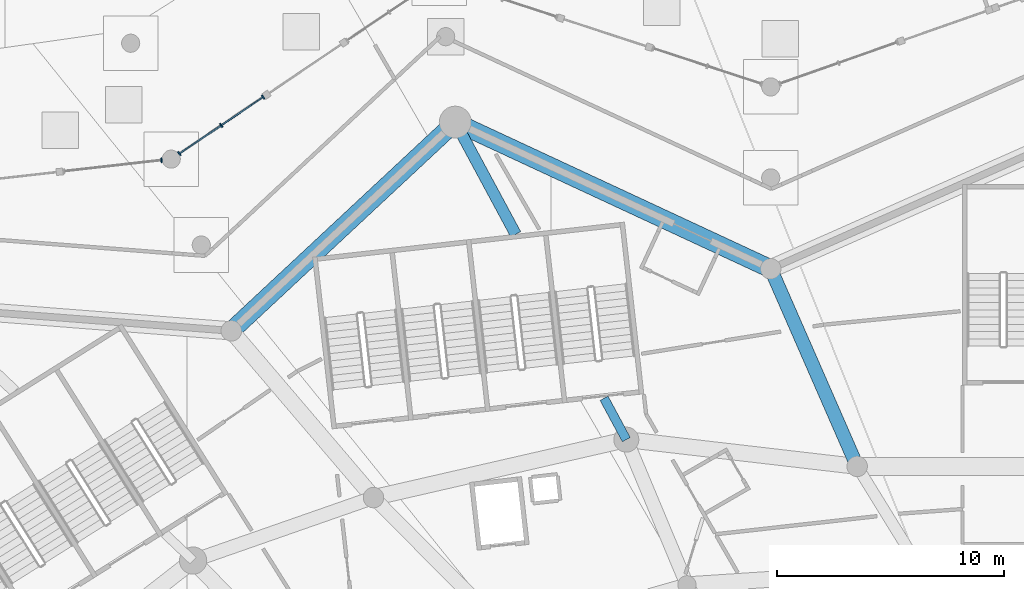
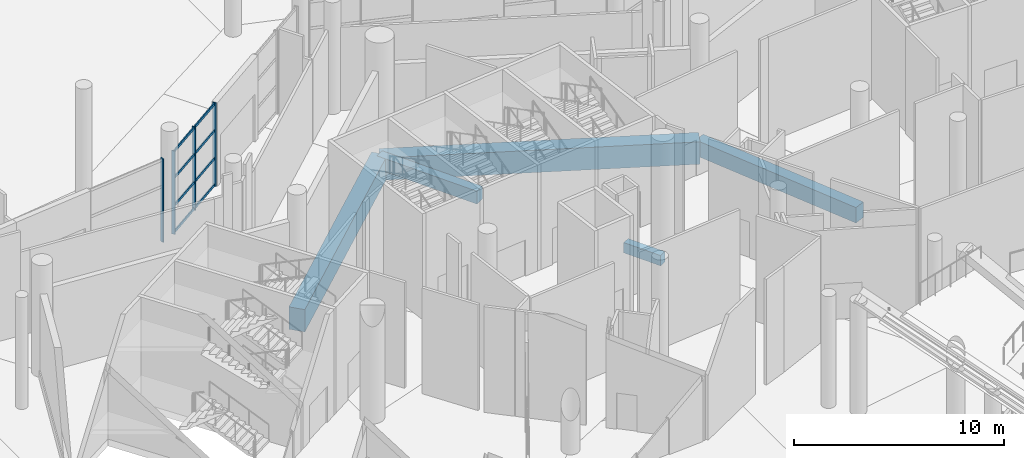
# One storey, part 52 of 255: 12 members, 5 beams, 2 elements without a shape of their own.
"""IFC4 building model written with IfcOpenShell, lengths in metres."""

from ifc_helpers import new_model, si_unit, direction, frame, origin, origin_2d, place, context, subcontext, project, spatial, rectangle, extrude, material, layer, layer_set, material_profile, profile_set, type_object, element, aggregate, save


model = new_model("IFC4")

# Units and contexts
model_context = context("Model", 3, precision=1e-05, world=origin(), true_north=direction((0.0, 1.0)))
body_context = subcontext(model_context, "Body", "Model", "MODEL_VIEW")
ifc_project = project(units=[si_unit("LENGTHUNIT", "METRE"), si_unit("AREAUNIT", "SQUARE_METRE"), si_unit("VOLUMEUNIT", "CUBIC_METRE"), si_unit("PLANEANGLEUNIT", "RADIAN"), si_unit("MASSUNIT", "GRAM", prefix="KILO")], contexts=[model_context])

# Site, building, storey
site_placement = place(None, origin())
site = spatial("IfcSite", under=ifc_project, at=site_placement, CompositionType="ELEMENT")
building_placement = place(site_placement, origin())
building = spatial("IfcBuilding", under=site, at=building_placement, Name="Meseta Stadium", CompositionType="ELEMENT")
storey_placement = place(building_placement, origin())
storey = spatial("IfcBuildingStorey", under=building, at=storey_placement, Name="L00", CompositionType="ELEMENT", Elevation=0.0)

# Beams
ifc_material_1 = material(Name="Concrete C40/50", Category="concrete")
ifc_material_profile_1 = material_profile(ifc_material_1, rectangle(XDim=0.39990234375, YDim=0.60009765625, at=origin_2d()), Name="RC 400x600")
ifc_profile_set_1 = profile_set([ifc_material_profile_1], Name="Concrete C40/50")
beam_type_1 = type_object("IfcBeamType", Name="RC beam 400x600", PredefinedType="BEAM", material=ifc_profile_set_1)
beam_1_placement = place(storey_placement, frame((-44.6826171875, 91.0908203125, -0.699951171875), z_axis=(-0.474170370951, 0.880433108937, 0.0), x_axis=(-0.880433108937, -0.474170370951, 0.0)))
element("IfcBeam", 1, at=beam_1_placement, inside=storey, type_object=beam_type_1, Name="L00 radial beam frame 22 line P to R", PredefinedType="BEAM", context=body_context, shape_type="SweptSolid", body=[
    extrude(rectangle(XDim=0.39990234375, YDim=0.60009765625, at=origin_2d()), origin(), (0.0, 0.0, 1.0), 2.063720703125),
])
ifc_material_2 = material(Name="Concrete C40/50", Category="concrete")
ifc_material_profile_2 = material_profile(ifc_material_2, rectangle(XDim=0.5, YDim=0.75, at=origin_2d()), Name="RC 500x750")
ifc_profile_set_2 = profile_set([ifc_material_profile_2], Name="Concrete C40/50")
beam_type_2 = type_object("IfcBeamType", Name="RC beam 500x750", PredefinedType="BEAM", material=ifc_profile_set_2)
beam_2_placement = place(storey_placement, frame((-49.54541015625, 100.1181640625, -0.77490234375), z_axis=(-0.474227121741, 0.880402542594, 0.0), x_axis=(-0.880402542594, -0.474227121741, 0.0)))
element("IfcBeam", 2, at=beam_2_placement, inside=storey, type_object=beam_type_2, Name="L00 radial beam frame 22 line P to R", PredefinedType="BEAM", context=body_context, shape_type="SweptSolid", body=[
    extrude(rectangle(XDim=0.5, YDim=0.75, at=origin_2d()), origin(), (0.0, 0.0, 1.0), 5.603759765625),
])
ifc_material_3 = material(Name="Concrete C40/50", Category="concrete")
ifc_material_profile_3 = material_profile(ifc_material_3, rectangle(XDim=0.60009765625, YDim=0.89990234375, at=origin_2d()), Name="RC 600x900")
ifc_profile_set_3 = profile_set([ifc_material_profile_3], Name="Concrete C40/50")
beam_type_3 = type_object("IfcBeamType", Name="RC beam 600x900", PredefinedType="BEAM", material=ifc_profile_set_3)
beam_3_placement = place(storey_placement, frame((-34.53076171875, 89.911865234375, -0.85009765625), z_axis=(-0.4009417199, 0.91610356251, 0.0), x_axis=(-0.91610356251, -0.4009417199, 0.0)))
element("IfcBeam", 3, at=beam_3_placement, inside=storey, type_object=beam_type_3, Name="L00 radial beam frame 21 line P to R", PredefinedType="BEAM", context=body_context, shape_type="SweptSolid", body=[
    extrude(rectangle(XDim=0.60009765625, YDim=0.89990234375, at=origin_2d()), origin(), (0.0, 0.0, 1.0), 9.48388671875),
])
ifc_material_4 = material(Name="Concrete C40/50", Category="concrete")
ifc_material_profile_4 = material_profile(ifc_material_4, rectangle(XDim=0.800048828125, YDim=1.300048828125, at=origin_2d()), Name="RC 800x1300")
ifc_profile_set_4 = profile_set([ifc_material_profile_4], Name="Concrete C40/50")
beam_type_4 = type_object("IfcBeamType", Name="RC beam 800x1300", PredefinedType="BEAM", material=ifc_profile_set_4)
beam_4_placement = place(storey_placement, frame((-38.333251953125, 98.60009765625, -1.050048828125), z_axis=(-0.906704363154, 0.421766757625, 0.0), x_axis=(-0.421766757625, -0.906704363154, 0.0)))
element("IfcBeam", 4, at=beam_4_placement, inside=storey, type_object=beam_type_4, Name="L00 ring beam frame 21 line R", PredefinedType="BEAM", context=body_context, shape_type="SweptSolid", body=[
    extrude(rectangle(XDim=0.800048828125, YDim=1.300048828125, at=origin_2d()), origin(), (0.0, 0.0, 1.0), 15.296630859375),
])
beam_5_placement = place(storey_placement, frame((-52.202880859375, 105.0517578125, -1.050048828125), z_axis=(-0.73154053301, -0.681797952889, 0.0), x_axis=(0.681797952889, -0.73154053301, 0.0)))
element("IfcBeam", 5, at=beam_5_placement, inside=storey, type_object=beam_type_4, Name="L00 ring beam frame 22 line R", PredefinedType="BEAM", context=body_context, shape_type="SweptSolid", body=[
    extrude(rectangle(XDim=0.800048828125, YDim=1.300048828125, at=origin_2d()), origin(), (0.0, 0.0, 1.0), 13.462890625),
])

# Curtain wall, members
ifc_material_5 = material(Name="Aluminium", Category="aluminium")
ifc_layer = layer(ifc_material_5, 0.199951171875)
ifc_layer_set = layer_set([ifc_layer], Name="Ring shopfront curtain wall")
curtain_wall_type = type_object("IfcCurtainWallType", Name="Ring shopfront curtain wall", PredefinedType="NOTDEFINED", material=ifc_layer_set)
curtain_wall_1_placement = place(storey_placement, origin())
curtain_wall_1 = element("IfcCurtainWall", 6, at=curtain_wall_1_placement, inside=storey, type_object=curtain_wall_type, Name="Shopfront glazing F22b", PredefinedType="NOTDEFINED")
ifc_material_6 = material(Name="Aluminium", Category="aluminium")
ifc_material_profile_5 = material_profile(ifc_material_6, rectangle(XDim=0.199951171875, YDim=0.06005859375, at=origin_2d()), Name="CW 200x60")
ifc_profile_set_5 = profile_set([ifc_material_profile_5], Name="Aluminium")
member_type_1 = type_object("IfcMemberType", Name="Ring CW mullion 60x200", PredefinedType="MULLION", material=ifc_profile_set_5)
member_1_placement = place(storey_placement, frame((-60.65283203125, 106.150634765625, 0.0), z_axis=(0.0, 0.0, 1.0), x_axis=(0.559383641345, -0.828908886305, 0.0)))
member_1 = element("IfcMember", 7, at=member_1_placement, type_object=member_type_1, Name="CWR1 mullion 1", PredefinedType="MULLION", context=body_context, shape_type="SweptSolid", body=[
    extrude(rectangle(XDim=0.199951171875, YDim=0.06005859375, at=origin_2d()), origin(), (0.0, 0.0, 1.0), 4.85009765625),
])
member_2_placement = place(storey_placement, frame((-62.4951171875, 104.907470703125, 0.0), z_axis=(0.0, 0.0, 1.0), x_axis=(0.559383641345, -0.828908886305, 0.0)))
member_2 = element("IfcMember", 8, at=member_2_placement, type_object=member_type_1, Name="CWR1 mullion 2", PredefinedType="MULLION", context=body_context, shape_type="SweptSolid", body=[
    extrude(rectangle(XDim=0.199951171875, YDim=0.06005859375, at=origin_2d()), origin(), (0.0, 0.0, 1.0), 4.85009765625),
])
member_3_placement = place(storey_placement, frame((-64.33740234375, 103.664306640625, 0.0), z_axis=(0.0, 0.0, 1.0), x_axis=(0.559383641345, -0.828908886305, 0.0)))
member_3 = element("IfcMember", 9, at=member_3_placement, type_object=member_type_1, Name="CWR1 mullion 3", PredefinedType="MULLION", context=body_context, shape_type="SweptSolid", body=[
    extrude(rectangle(XDim=0.199951171875, YDim=0.06005859375, at=origin_2d()), origin(), (0.0, 0.0, 1.0), 4.85009765625),
])

# Curtain wall, member
curtain_wall_2_placement = place(storey_placement, origin())
curtain_wall_2 = element("IfcCurtainWall", 10, at=curtain_wall_2_placement, inside=storey, type_object=curtain_wall_type, Name="Shopfront glazing F23a", PredefinedType="NOTDEFINED")
member_4_placement = place(storey_placement, frame((-65.12109375, 103.37548828125, 0.0), z_axis=(0.0, 0.0, 1.0), x_axis=(0.112472456913, -0.993654842707, 0.0)))
member_4 = element("IfcMember", 11, at=member_4_placement, type_object=member_type_1, Name="CWR1 mullion 1", PredefinedType="MULLION", context=body_context, shape_type="SweptSolid", body=[
    extrude(rectangle(XDim=0.199951171875, YDim=0.06005859375, at=origin_2d()), origin(), (0.0, 0.0, 1.0), 4.85009765625),
])
aggregate(curtain_wall_2, [member_4])

# Member
ifc_material_7 = material(Name="Aluminium", Category="aluminium")
ifc_material_profile_6 = material_profile(ifc_material_7, rectangle(XDim=0.06005859375, YDim=0.14990234375, at=origin_2d()), Name="CW 60x150")
ifc_profile_set_6 = profile_set([ifc_material_profile_6], Name="Aluminium")
member_type_2 = type_object("IfcMemberType", Name="Ring CW transom 60x150", PredefinedType="USERDEFINED", material=ifc_profile_set_6)
member_5_placement = place(storey_placement, frame((-60.677734375, 106.134033203125, 0.074951171875), z_axis=(-0.828893171184, -0.559406927706, 0.0), x_axis=(0.559406927706, -0.828893171184, 0.0)))
member_5 = element("IfcMember", 12, at=member_5_placement, type_object=member_type_2, Name="CWR1 transom 1.1", ObjectType="TRANSOM", PredefinedType="USERDEFINED", context=body_context, shape_type="SweptSolid", body=[
    extrude(rectangle(XDim=0.06005859375, YDim=0.14990234375, at=origin_2d()), origin(), (0.0, 0.0, 1.0), 2.16259765625),
])

member_6_placement = place(storey_placement, frame((-60.677734375, 106.134033203125, 1.61669921875), z_axis=(-0.828893171184, -0.559406927706, 0.0), x_axis=(0.559406927706, -0.828893171184, 0.0)))
member_6 = element("IfcMember", 13, at=member_6_placement, type_object=member_type_2, Name="CWR1 transom 1.2", ObjectType="TRANSOM", PredefinedType="USERDEFINED", context=body_context, shape_type="SweptSolid", body=[
    extrude(rectangle(XDim=0.06005859375, YDim=0.14990234375, at=origin_2d()), origin(), (0.0, 0.0, 1.0), 2.16259765625),
])

member_7_placement = place(storey_placement, frame((-60.677734375, 106.134033203125, 3.2333984375), z_axis=(-0.828893171184, -0.559406927706, 0.0), x_axis=(0.559406927706, -0.828893171184, 0.0)))
member_7 = element("IfcMember", 14, at=member_7_placement, type_object=member_type_2, Name="CWR1 transom 1.3", ObjectType="TRANSOM", PredefinedType="USERDEFINED", context=body_context, shape_type="SweptSolid", body=[
    extrude(rectangle(XDim=0.06005859375, YDim=0.14990234375, at=origin_2d()), origin(), (0.0, 0.0, 1.0), 2.16259765625),
])

member_8_placement = place(storey_placement, frame((-60.677734375, 106.134033203125, 4.77490234375), z_axis=(-0.828893171184, -0.559406927706, 0.0), x_axis=(0.559406927706, -0.828893171184, 0.0)))
member_8 = element("IfcMember", 15, at=member_8_placement, type_object=member_type_2, Name="CWR1 transom 1.4", ObjectType="TRANSOM", PredefinedType="USERDEFINED", context=body_context, shape_type="SweptSolid", body=[
    extrude(rectangle(XDim=0.06005859375, YDim=0.14990234375, at=origin_2d()), origin(), (0.0, 0.0, 1.0), 2.16259765625),
])

member_9_placement = place(storey_placement, frame((-62.52001953125, 104.890625, 0.074951171875), z_axis=(-0.828945520124, -0.559329352587, 0.0), x_axis=(0.559329352587, -0.828945520124, 0.0)))
member_9 = element("IfcMember", 16, at=member_9_placement, type_object=member_type_2, Name="CWR1 transom 2.1", ObjectType="TRANSOM", PredefinedType="USERDEFINED", context=body_context, shape_type="SweptSolid", body=[
    extrude(rectangle(XDim=0.06005859375, YDim=0.14990234375, at=origin_2d()), origin(), (0.0, 0.0, 1.0), 2.162353515625),
])

member_10_placement = place(storey_placement, frame((-62.52001953125, 104.890625, 1.61669921875), z_axis=(-0.828945520124, -0.559329352587, 0.0), x_axis=(0.559329352587, -0.828945520124, 0.0)))
member_10 = element("IfcMember", 17, at=member_10_placement, type_object=member_type_2, Name="CWR1 transom 2.2", ObjectType="TRANSOM", PredefinedType="USERDEFINED", context=body_context, shape_type="SweptSolid", body=[
    extrude(rectangle(XDim=0.06005859375, YDim=0.14990234375, at=origin_2d()), origin(), (0.0, 0.0, 1.0), 2.162353515625),
])

member_11_placement = place(storey_placement, frame((-62.52001953125, 104.890625, 3.2333984375), z_axis=(-0.828945520124, -0.559329352587, 0.0), x_axis=(0.559329352587, -0.828945520124, 0.0)))
member_11 = element("IfcMember", 18, at=member_11_placement, type_object=member_type_2, Name="CWR1 transom 2.3", ObjectType="TRANSOM", PredefinedType="USERDEFINED", context=body_context, shape_type="SweptSolid", body=[
    extrude(rectangle(XDim=0.06005859375, YDim=0.14990234375, at=origin_2d()), origin(), (0.0, 0.0, 1.0), 2.162353515625),
])

member_12_placement = place(storey_placement, frame((-62.52001953125, 104.890625, 4.77490234375), z_axis=(-0.828945520124, -0.559329352587, 0.0), x_axis=(0.559329352587, -0.828945520124, 0.0)))
member_12 = element("IfcMember", 19, at=member_12_placement, type_object=member_type_2, Name="CWR1 transom 2.4", ObjectType="TRANSOM", PredefinedType="USERDEFINED", context=body_context, shape_type="SweptSolid", body=[
    extrude(rectangle(XDim=0.06005859375, YDim=0.14990234375, at=origin_2d()), origin(), (0.0, 0.0, 1.0), 2.162353515625),
])

aggregate(curtain_wall_1, [member_1, member_2, member_3, member_5, member_6, member_7, member_8, member_9, member_10, member_11, member_12])

save(model, "model.ifc")
